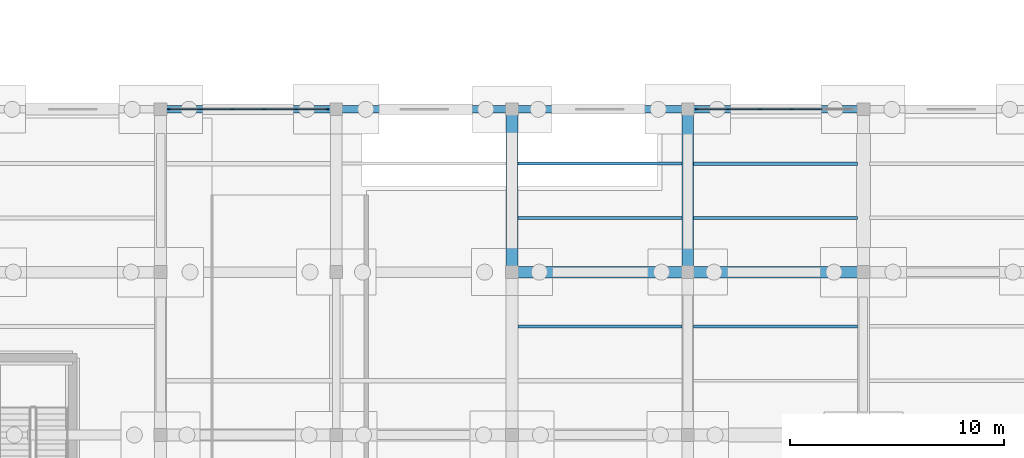
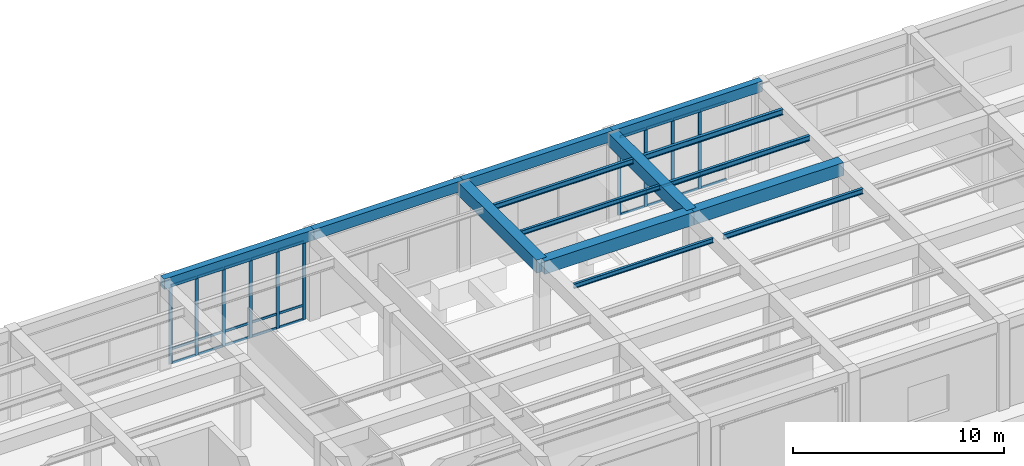
# One storey, part 29 of 64: 37 members, 14 beams, 2 elements without a shape of their own.
"""IFC4 building model written with IfcOpenShell, lengths in metres."""

from ifc_helpers import new_model, si_unit, direction, frame, origin, origin_2d, place, context, subcontext, project, spatial, rectangle, i_section, extrude, material, material_profile, profile_set, type_object, element, aggregate, save


model = new_model("IFC4")

# Units and contexts
model_context = context("Model", 3, precision=1e-05, world=origin(), true_north=direction((0.0, 1.0)))
body_context = subcontext(model_context, "Body", "Model", "MODEL_VIEW")
ifc_project = project(units=[si_unit("LENGTHUNIT", "METRE"), si_unit("AREAUNIT", "SQUARE_METRE"), si_unit("VOLUMEUNIT", "CUBIC_METRE"), si_unit("PLANEANGLEUNIT", "RADIAN"), si_unit("MASSUNIT", "GRAM", prefix="KILO")], contexts=[model_context])

# Site, building, storey
site_placement = place(None, origin())
site = spatial("IfcSite", under=ifc_project, at=site_placement, CompositionType="ELEMENT")
building_placement = place(site_placement, origin())
building = spatial("IfcBuilding", under=site, at=building_placement, Name="Qandaris Square Conservatory and Botanical Centre", CompositionType="ELEMENT")
storey_placement = place(building_placement, origin())
storey = spatial("IfcBuildingStorey", under=building, at=storey_placement, Name="L00", CompositionType="ELEMENT", Elevation=0.0)

# Beams
ifc_material_1 = material(Name="Steel S355", Category="steel")
ifc_material_profile_1 = material_profile(ifc_material_1, i_section(OverallWidth=0.14990234375, OverallDepth=0.300048828125, WebThickness=0.007080078125, FlangeThickness=0.0107421875, FilletRadius=0.014892578125, at=origin_2d()), Name="IPE 300")
ifc_profile_set_1 = profile_set([ifc_material_profile_1], Name="Steel S355")
beam_type_1 = type_object("IfcBeamType", Name="Composite Lab Joist IPE 300", PredefinedType="JOIST", material=ifc_profile_set_1)
beam_1_placement = place(storey_placement, frame((90.27490234375, 112.86669921875, 4.93994140625), z_axis=(1.0, 0.0, 0.0), x_axis=(0.0, 1.0, 0.0)))
element("IfcBeam", 1, at=beam_1_placement, inside=storey, type_object=beam_type_1, Name="L00 Composite Joist 0740", PredefinedType="JOIST", context=body_context, shape_type="SweptSolid", body=[
    extrude(i_section(OverallWidth=0.14990234375, OverallDepth=0.300048828125, WebThickness=0.007080078125, FlangeThickness=0.0107421875, FilletRadius=0.014892578125, at=origin_2d()), origin(), (0.0, 0.0, 1.0), 7.650146484375),
])
for number, where, z_axis, x_axis, name in (
    (2, (98.47509765625, 105.2666015625, 4.93994140625), (1.0, 0.0, 0.0), (0.0, 1.0, 0.0), "L00 Composite Joist 0750"),
    (3, (98.47509765625, 110.333251953125, 4.93994140625), (1.0, 0.0, 0.0), (0.0, 1.0, 0.0), "L00 Composite Joist 0751"),
):
    element("IfcBeam", number, at=place(storey_placement, frame(where, z_axis=z_axis, x_axis=x_axis)), inside=storey, type_object=beam_type_1, Name=name, PredefinedType="JOIST", context=body_context, shape_type="SweptSolid", body=[
        extrude(i_section(OverallWidth=0.14990234375, OverallDepth=0.300048828125, WebThickness=0.007080078125, FlangeThickness=0.0107421875, FilletRadius=0.014892578125, at=origin_2d()), origin(), (0.0, 0.0, 1.0), 7.64990234375),
    ])
ifc_material_profile_2 = material_profile(ifc_material_1, i_section(OverallWidth=0.159912109375, OverallDepth=0.330078125, WebThickness=0.007568359375, FlangeThickness=0.011474609375, FilletRadius=0.01806640625, at=origin_2d()), Name="IPE 330")
ifc_profile_set_2 = profile_set([ifc_material_profile_2], Name="Steel S355")
beam_type_2 = type_object("IfcBeamType", Name="Composite Lab Joist IPE 330", PredefinedType="JOIST", material=ifc_profile_set_2)
beam_2_placement = place(storey_placement, frame((98.47509765625, 112.86669921875, 4.925048828125), z_axis=(1.0, 0.0, 0.0), x_axis=(0.0, 1.0, 0.0)))
element("IfcBeam", 4, at=beam_2_placement, inside=storey, type_object=beam_type_2, Name="L00 Composite Joist 0752", PredefinedType="JOIST", context=body_context, shape_type="SweptSolid", body=[
    extrude(i_section(OverallWidth=0.159912109375, OverallDepth=0.330078125, WebThickness=0.007568359375, FlangeThickness=0.011474609375, FilletRadius=0.01806640625, at=origin_2d()), origin(), (0.0, 0.0, 1.0), 7.64990234375),
])

# Curtain wall, members
ifc_material_2 = material(Name="Anodised Aluminium", Category="aluminium")
curtain_wall_type = type_object("IfcCurtainWallType", Name="Unitised Curtain Wall CW-6-740x454", PredefinedType="USERDEFINED", material=ifc_material_2)
curtain_wall_1_placement = place(storey_placement, origin())
curtain_wall_1 = element("IfcCurtainWall", 5, at=curtain_wall_1_placement, inside=storey, type_object=curtain_wall_type, Name="Curtain Wall CW-V3B-L00-3-2", ObjectType="GLAZED CURTAIN WALL", PredefinedType="USERDEFINED")
ifc_material_profile_3 = material_profile(ifc_material_2, rectangle(XDim=0.06494140625, YDim=0.179931640625, at=origin_2d()), Name="ALU-MUL 65x180")
ifc_profile_set_3 = profile_set([ifc_material_profile_3], Name="Anodised Aluminium")
member_type_1 = type_object("IfcMemberType", Name="Curtain Wall Mullion 65x180", PredefinedType="MULLION", material=ifc_profile_set_3)
member_1_placement = place(storey_placement, frame((103.0400390625, 115.39990234375, 0.0), z_axis=(0.0, 0.0, 1.0), x_axis=(0.0, -1.0, 0.0)))
member_1 = element("IfcMember", 6, at=member_1_placement, type_object=member_type_1, Name="CW-6-740x454 mullion 3", PredefinedType="MULLION", context=body_context, shape_type="SweptSolid", body=[
    extrude(rectangle(XDim=0.06494140625, YDim=0.179931640625, at=origin_2d()), origin(), (0.0, 0.0, 1.0), 4.544921875),
])
member_2_placement = place(storey_placement, frame((101.56005859375, 115.39990234375, 0.0), z_axis=(0.0, 0.0, 1.0), x_axis=(0.0, -1.0, 0.0)))
member_2 = element("IfcMember", 7, at=member_2_placement, type_object=member_type_1, Name="CW-6-740x454 mullion 4", PredefinedType="MULLION", context=body_context, shape_type="SweptSolid", body=[
    extrude(rectangle(XDim=0.06494140625, YDim=0.179931640625, at=origin_2d()), origin(), (0.0, 0.0, 1.0), 4.544921875),
])
member_3_placement = place(storey_placement, frame((100.080078125, 115.39990234375, 0.0), z_axis=(0.0, 0.0, 1.0), x_axis=(0.0, -1.0, 0.0)))
member_3 = element("IfcMember", 8, at=member_3_placement, type_object=member_type_1, Name="CW-6-740x454 mullion 5", PredefinedType="MULLION", context=body_context, shape_type="SweptSolid", body=[
    extrude(rectangle(XDim=0.06494140625, YDim=0.179931640625, at=origin_2d()), origin(), (0.0, 0.0, 1.0), 4.544921875),
])
member_4_placement = place(storey_placement, frame((98.632568359375, 115.39990234375, 0.0), z_axis=(0.0, 0.0, 1.0), x_axis=(0.0, -1.0, 0.0)))
member_4 = element("IfcMember", 9, at=member_4_placement, type_object=member_type_1, Name="CW-6-740x454 mullion 6", PredefinedType="MULLION", context=body_context, shape_type="SweptSolid", body=[
    extrude(rectangle(XDim=0.06494140625, YDim=0.179931640625, at=origin_2d()), origin(), (0.0, 0.0, 1.0), 4.544921875),
])

curtain_wall_2_placement = place(storey_placement, origin())
curtain_wall_2 = element("IfcCurtainWall", 10, at=curtain_wall_2_placement, inside=storey, type_object=curtain_wall_type, Name="Curtain Wall CW-V3B-L00-3-5", ObjectType="GLAZED CURTAIN WALL", PredefinedType="USERDEFINED")
member_5_placement = place(storey_placement, frame((81.367431640625, 115.39990234375, 0.0), z_axis=(0.0, 0.0, 1.0), x_axis=(0.0, -1.0, 0.0)))
member_5 = element("IfcMember", 11, at=member_5_placement, type_object=member_type_1, Name="CW-6-740x454 mullion 1", PredefinedType="MULLION", context=body_context, shape_type="SweptSolid", body=[
    extrude(rectangle(XDim=0.06494140625, YDim=0.179931640625, at=origin_2d()), origin(), (0.0, 0.0, 1.0), 4.544921875),
])
member_6_placement = place(storey_placement, frame((79.919921875, 115.39990234375, 0.0), z_axis=(0.0, 0.0, 1.0), x_axis=(0.0, -1.0, 0.0)))
member_6 = element("IfcMember", 12, at=member_6_placement, type_object=member_type_1, Name="CW-6-740x454 mullion 2", PredefinedType="MULLION", context=body_context, shape_type="SweptSolid", body=[
    extrude(rectangle(XDim=0.06494140625, YDim=0.179931640625, at=origin_2d()), origin(), (0.0, 0.0, 1.0), 4.544921875),
])
member_7_placement = place(storey_placement, frame((78.43994140625, 115.39990234375, 0.0), z_axis=(0.0, 0.0, 1.0), x_axis=(0.0, -1.0, 0.0)))
member_7 = element("IfcMember", 13, at=member_7_placement, type_object=member_type_1, Name="CW-6-740x454 mullion 3", PredefinedType="MULLION", context=body_context, shape_type="SweptSolid", body=[
    extrude(rectangle(XDim=0.06494140625, YDim=0.179931640625, at=origin_2d()), origin(), (0.0, 0.0, 1.0), 4.544921875),
])
member_8_placement = place(storey_placement, frame((76.9599609375, 115.39990234375, 0.0), z_axis=(0.0, 0.0, 1.0), x_axis=(0.0, -1.0, 0.0)))
member_8 = element("IfcMember", 14, at=member_8_placement, type_object=member_type_1, Name="CW-6-740x454 mullion 4", PredefinedType="MULLION", context=body_context, shape_type="SweptSolid", body=[
    extrude(rectangle(XDim=0.06494140625, YDim=0.179931640625, at=origin_2d()), origin(), (0.0, 0.0, 1.0), 4.544921875),
])
member_9_placement = place(storey_placement, frame((75.47998046875, 115.39990234375, 0.0), z_axis=(0.0, 0.0, 1.0), x_axis=(0.0, -1.0, 0.0)))
member_9 = element("IfcMember", 15, at=member_9_placement, type_object=member_type_1, Name="CW-6-740x454 mullion 5", PredefinedType="MULLION", context=body_context, shape_type="SweptSolid", body=[
    extrude(rectangle(XDim=0.06494140625, YDim=0.179931640625, at=origin_2d()), origin(), (0.0, 0.0, 1.0), 4.544921875),
])
member_10_placement = place(storey_placement, frame((74.032470703125, 115.39990234375, 0.0), z_axis=(0.0, 0.0, 1.0), x_axis=(0.0, -1.0, 0.0)))
member_10 = element("IfcMember", 16, at=member_10_placement, type_object=member_type_1, Name="CW-6-740x454 mullion 6", PredefinedType="MULLION", context=body_context, shape_type="SweptSolid", body=[
    extrude(rectangle(XDim=0.06494140625, YDim=0.179931640625, at=origin_2d()), origin(), (0.0, 0.0, 1.0), 4.544921875),
])

# Member
ifc_material_profile_4 = material_profile(ifc_material_2, rectangle(XDim=0.06494140625, YDim=0.139892578125, at=origin_2d()), Name="ALU-TRN 65x140")
ifc_profile_set_4 = profile_set([ifc_material_profile_4], Name="Anodised Aluminium")
member_type_2 = type_object("IfcMemberType", Name="Curtain Wall Transom 65x140", PredefinedType="USERDEFINED", material=ifc_profile_set_4)
member_11_placement = place(storey_placement, frame((104.487548828125, 115.39990234375, 0.032470703125), z_axis=(-1.0, 0.0, 0.0), x_axis=(0.0, -1.0, 0.0)))
member_11 = element("IfcMember", 17, at=member_11_placement, type_object=member_type_2, Name="CW-6-740x454 transom 2.1", ObjectType="TRANSOM", PredefinedType="USERDEFINED", context=body_context, shape_type="SweptSolid", body=[
    extrude(rectangle(XDim=0.06494140625, YDim=0.139892578125, at=origin_2d()), origin(), (0.0, 0.0, 1.0), 1.4150390625),
])

member_12_placement = place(storey_placement, frame((104.487548828125, 115.39990234375, 0.85009765625), z_axis=(-1.0, 0.0, 0.0), x_axis=(0.0, -1.0, 0.0)))
member_12 = element("IfcMember", 18, at=member_12_placement, type_object=member_type_2, Name="CW-6-740x454 transom 2.2", ObjectType="TRANSOM", PredefinedType="USERDEFINED", context=body_context, shape_type="SweptSolid", body=[
    extrude(rectangle(XDim=0.06494140625, YDim=0.139892578125, at=origin_2d()), origin(), (0.0, 0.0, 1.0), 1.4150390625),
])

member_13_placement = place(storey_placement, frame((104.487548828125, 115.39990234375, 4.512451171875), z_axis=(-1.0, 0.0, 0.0), x_axis=(0.0, -1.0, 0.0)))
member_13 = element("IfcMember", 19, at=member_13_placement, type_object=member_type_2, Name="CW-6-740x454 transom 2.3", ObjectType="TRANSOM", PredefinedType="USERDEFINED", context=body_context, shape_type="SweptSolid", body=[
    extrude(rectangle(XDim=0.06494140625, YDim=0.139892578125, at=origin_2d()), origin(), (0.0, 0.0, 1.0), 1.4150390625),
])

member_14_placement = place(storey_placement, frame((103.007568359375, 115.39990234375, 0.032470703125), z_axis=(-1.0, 0.0, 0.0), x_axis=(0.0, -1.0, 0.0)))
member_14 = element("IfcMember", 20, at=member_14_placement, type_object=member_type_2, Name="CW-6-740x454 transom 3.1", ObjectType="TRANSOM", PredefinedType="USERDEFINED", context=body_context, shape_type="SweptSolid", body=[
    extrude(rectangle(XDim=0.06494140625, YDim=0.139892578125, at=origin_2d()), origin(), (0.0, 0.0, 1.0), 1.4150390625),
])

member_15_placement = place(storey_placement, frame((103.007568359375, 115.39990234375, 0.85009765625), z_axis=(-1.0, 0.0, 0.0), x_axis=(0.0, -1.0, 0.0)))
member_15 = element("IfcMember", 21, at=member_15_placement, type_object=member_type_2, Name="CW-6-740x454 transom 3.2", ObjectType="TRANSOM", PredefinedType="USERDEFINED", context=body_context, shape_type="SweptSolid", body=[
    extrude(rectangle(XDim=0.06494140625, YDim=0.139892578125, at=origin_2d()), origin(), (0.0, 0.0, 1.0), 1.4150390625),
])

member_16_placement = place(storey_placement, frame((103.007568359375, 115.39990234375, 4.512451171875), z_axis=(-1.0, 0.0, 0.0), x_axis=(0.0, -1.0, 0.0)))
member_16 = element("IfcMember", 22, at=member_16_placement, type_object=member_type_2, Name="CW-6-740x454 transom 3.3", ObjectType="TRANSOM", PredefinedType="USERDEFINED", context=body_context, shape_type="SweptSolid", body=[
    extrude(rectangle(XDim=0.06494140625, YDim=0.139892578125, at=origin_2d()), origin(), (0.0, 0.0, 1.0), 1.4150390625),
])

member_17_placement = place(storey_placement, frame((101.527587890625, 115.39990234375, 0.032470703125), z_axis=(-1.0, 0.0, 0.0), x_axis=(0.0, -1.0, 0.0)))
member_17 = element("IfcMember", 23, at=member_17_placement, type_object=member_type_2, Name="CW-6-740x454 transom 4.1", ObjectType="TRANSOM", PredefinedType="USERDEFINED", context=body_context, shape_type="SweptSolid", body=[
    extrude(rectangle(XDim=0.06494140625, YDim=0.139892578125, at=origin_2d()), origin(), (0.0, 0.0, 1.0), 1.4150390625),
])

member_18_placement = place(storey_placement, frame((101.527587890625, 115.39990234375, 0.85009765625), z_axis=(-1.0, 0.0, 0.0), x_axis=(0.0, -1.0, 0.0)))
member_18 = element("IfcMember", 24, at=member_18_placement, type_object=member_type_2, Name="CW-6-740x454 transom 4.2", ObjectType="TRANSOM", PredefinedType="USERDEFINED", context=body_context, shape_type="SweptSolid", body=[
    extrude(rectangle(XDim=0.06494140625, YDim=0.139892578125, at=origin_2d()), origin(), (0.0, 0.0, 1.0), 1.4150390625),
])

member_19_placement = place(storey_placement, frame((101.527587890625, 115.39990234375, 4.512451171875), z_axis=(-1.0, 0.0, 0.0), x_axis=(0.0, -1.0, 0.0)))
member_19 = element("IfcMember", 25, at=member_19_placement, type_object=member_type_2, Name="CW-6-740x454 transom 4.3", ObjectType="TRANSOM", PredefinedType="USERDEFINED", context=body_context, shape_type="SweptSolid", body=[
    extrude(rectangle(XDim=0.06494140625, YDim=0.139892578125, at=origin_2d()), origin(), (0.0, 0.0, 1.0), 1.4150390625),
])

member_20_placement = place(storey_placement, frame((100.047607421875, 115.39990234375, 0.032470703125), z_axis=(-1.0, 0.0, 0.0), x_axis=(0.0, -1.0, 0.0)))
member_20 = element("IfcMember", 26, at=member_20_placement, type_object=member_type_2, Name="CW-6-740x454 transom 5.1", ObjectType="TRANSOM", PredefinedType="USERDEFINED", context=body_context, shape_type="SweptSolid", body=[
    extrude(rectangle(XDim=0.06494140625, YDim=0.139892578125, at=origin_2d()), origin(), (0.0, 0.0, 1.0), 1.382568359375),
])

member_21_placement = place(storey_placement, frame((100.047607421875, 115.39990234375, 0.85009765625), z_axis=(-1.0, 0.0, 0.0), x_axis=(0.0, -1.0, 0.0)))
member_21 = element("IfcMember", 27, at=member_21_placement, type_object=member_type_2, Name="CW-6-740x454 transom 5.2", ObjectType="TRANSOM", PredefinedType="USERDEFINED", context=body_context, shape_type="SweptSolid", body=[
    extrude(rectangle(XDim=0.06494140625, YDim=0.139892578125, at=origin_2d()), origin(), (0.0, 0.0, 1.0), 1.382568359375),
])

member_22_placement = place(storey_placement, frame((100.047607421875, 115.39990234375, 4.512451171875), z_axis=(-1.0, 0.0, 0.0), x_axis=(0.0, -1.0, 0.0)))
member_22 = element("IfcMember", 28, at=member_22_placement, type_object=member_type_2, Name="CW-6-740x454 transom 5.3", ObjectType="TRANSOM", PredefinedType="USERDEFINED", context=body_context, shape_type="SweptSolid", body=[
    extrude(rectangle(XDim=0.06494140625, YDim=0.139892578125, at=origin_2d()), origin(), (0.0, 0.0, 1.0), 1.382568359375),
])

aggregate(curtain_wall_1, [member_1, member_2, member_3, member_4, member_11, member_12, member_13, member_14, member_15, member_16, member_17, member_18, member_19, member_20, member_21, member_22])

member_23_placement = place(storey_placement, frame((81.3349609375, 115.39990234375, 0.032470703125), z_axis=(-1.0, 0.0, 0.0), x_axis=(0.0, -1.0, 0.0)))
member_23 = element("IfcMember", 29, at=member_23_placement, type_object=member_type_2, Name="CW-6-740x454 transom 1.1", ObjectType="TRANSOM", PredefinedType="USERDEFINED", context=body_context, shape_type="SweptSolid", body=[
    extrude(rectangle(XDim=0.06494140625, YDim=0.139892578125, at=origin_2d()), origin(), (0.0, 0.0, 1.0), 1.382568359375),
])

member_24_placement = place(storey_placement, frame((81.3349609375, 115.39990234375, 0.85009765625), z_axis=(-1.0, 0.0, 0.0), x_axis=(0.0, -1.0, 0.0)))
member_24 = element("IfcMember", 30, at=member_24_placement, type_object=member_type_2, Name="CW-6-740x454 transom 1.2", ObjectType="TRANSOM", PredefinedType="USERDEFINED", context=body_context, shape_type="SweptSolid", body=[
    extrude(rectangle(XDim=0.06494140625, YDim=0.139892578125, at=origin_2d()), origin(), (0.0, 0.0, 1.0), 1.382568359375),
])

member_25_placement = place(storey_placement, frame((81.3349609375, 115.39990234375, 4.512451171875), z_axis=(-1.0, 0.0, 0.0), x_axis=(0.0, -1.0, 0.0)))
member_25 = element("IfcMember", 31, at=member_25_placement, type_object=member_type_2, Name="CW-6-740x454 transom 1.3", ObjectType="TRANSOM", PredefinedType="USERDEFINED", context=body_context, shape_type="SweptSolid", body=[
    extrude(rectangle(XDim=0.06494140625, YDim=0.139892578125, at=origin_2d()), origin(), (0.0, 0.0, 1.0), 1.382568359375),
])

member_26_placement = place(storey_placement, frame((79.887451171875, 115.39990234375, 0.032470703125), z_axis=(-1.0, 0.0, 0.0), x_axis=(0.0, -1.0, 0.0)))
member_26 = element("IfcMember", 32, at=member_26_placement, type_object=member_type_2, Name="CW-6-740x454 transom 2.1", ObjectType="TRANSOM", PredefinedType="USERDEFINED", context=body_context, shape_type="SweptSolid", body=[
    extrude(rectangle(XDim=0.06494140625, YDim=0.139892578125, at=origin_2d()), origin(), (0.0, 0.0, 1.0), 1.4150390625),
])

member_27_placement = place(storey_placement, frame((79.887451171875, 115.39990234375, 0.85009765625), z_axis=(-1.0, 0.0, 0.0), x_axis=(0.0, -1.0, 0.0)))
member_27 = element("IfcMember", 33, at=member_27_placement, type_object=member_type_2, Name="CW-6-740x454 transom 2.2", ObjectType="TRANSOM", PredefinedType="USERDEFINED", context=body_context, shape_type="SweptSolid", body=[
    extrude(rectangle(XDim=0.06494140625, YDim=0.139892578125, at=origin_2d()), origin(), (0.0, 0.0, 1.0), 1.4150390625),
])

member_28_placement = place(storey_placement, frame((79.887451171875, 115.39990234375, 4.512451171875), z_axis=(-1.0, 0.0, 0.0), x_axis=(0.0, -1.0, 0.0)))
member_28 = element("IfcMember", 34, at=member_28_placement, type_object=member_type_2, Name="CW-6-740x454 transom 2.3", ObjectType="TRANSOM", PredefinedType="USERDEFINED", context=body_context, shape_type="SweptSolid", body=[
    extrude(rectangle(XDim=0.06494140625, YDim=0.139892578125, at=origin_2d()), origin(), (0.0, 0.0, 1.0), 1.4150390625),
])

member_29_placement = place(storey_placement, frame((78.407470703125, 115.39990234375, 0.032470703125), z_axis=(-1.0, 0.0, 0.0), x_axis=(0.0, -1.0, 0.0)))
member_29 = element("IfcMember", 35, at=member_29_placement, type_object=member_type_2, Name="CW-6-740x454 transom 3.1", ObjectType="TRANSOM", PredefinedType="USERDEFINED", context=body_context, shape_type="SweptSolid", body=[
    extrude(rectangle(XDim=0.06494140625, YDim=0.139892578125, at=origin_2d()), origin(), (0.0, 0.0, 1.0), 1.4150390625),
])

member_30_placement = place(storey_placement, frame((78.407470703125, 115.39990234375, 0.85009765625), z_axis=(-1.0, 0.0, 0.0), x_axis=(0.0, -1.0, 0.0)))
member_30 = element("IfcMember", 36, at=member_30_placement, type_object=member_type_2, Name="CW-6-740x454 transom 3.2", ObjectType="TRANSOM", PredefinedType="USERDEFINED", context=body_context, shape_type="SweptSolid", body=[
    extrude(rectangle(XDim=0.06494140625, YDim=0.139892578125, at=origin_2d()), origin(), (0.0, 0.0, 1.0), 1.4150390625),
])

member_31_placement = place(storey_placement, frame((78.407470703125, 115.39990234375, 4.512451171875), z_axis=(-1.0, 0.0, 0.0), x_axis=(0.0, -1.0, 0.0)))
member_31 = element("IfcMember", 37, at=member_31_placement, type_object=member_type_2, Name="CW-6-740x454 transom 3.3", ObjectType="TRANSOM", PredefinedType="USERDEFINED", context=body_context, shape_type="SweptSolid", body=[
    extrude(rectangle(XDim=0.06494140625, YDim=0.139892578125, at=origin_2d()), origin(), (0.0, 0.0, 1.0), 1.4150390625),
])

member_32_placement = place(storey_placement, frame((76.927490234375, 115.39990234375, 0.032470703125), z_axis=(-1.0, 0.0, 0.0), x_axis=(0.0, -1.0, 0.0)))
member_32 = element("IfcMember", 38, at=member_32_placement, type_object=member_type_2, Name="CW-6-740x454 transom 4.1", ObjectType="TRANSOM", PredefinedType="USERDEFINED", context=body_context, shape_type="SweptSolid", body=[
    extrude(rectangle(XDim=0.06494140625, YDim=0.139892578125, at=origin_2d()), origin(), (0.0, 0.0, 1.0), 1.4150390625),
])

member_33_placement = place(storey_placement, frame((76.927490234375, 115.39990234375, 0.85009765625), z_axis=(-1.0, 0.0, 0.0), x_axis=(0.0, -1.0, 0.0)))
member_33 = element("IfcMember", 39, at=member_33_placement, type_object=member_type_2, Name="CW-6-740x454 transom 4.2", ObjectType="TRANSOM", PredefinedType="USERDEFINED", context=body_context, shape_type="SweptSolid", body=[
    extrude(rectangle(XDim=0.06494140625, YDim=0.139892578125, at=origin_2d()), origin(), (0.0, 0.0, 1.0), 1.4150390625),
])

member_34_placement = place(storey_placement, frame((76.927490234375, 115.39990234375, 4.512451171875), z_axis=(-1.0, 0.0, 0.0), x_axis=(0.0, -1.0, 0.0)))
member_34 = element("IfcMember", 40, at=member_34_placement, type_object=member_type_2, Name="CW-6-740x454 transom 4.3", ObjectType="TRANSOM", PredefinedType="USERDEFINED", context=body_context, shape_type="SweptSolid", body=[
    extrude(rectangle(XDim=0.06494140625, YDim=0.139892578125, at=origin_2d()), origin(), (0.0, 0.0, 1.0), 1.4150390625),
])

member_35_placement = place(storey_placement, frame((75.447509765625, 115.39990234375, 0.032470703125), z_axis=(-1.0, 0.0, 0.0), x_axis=(0.0, -1.0, 0.0)))
member_35 = element("IfcMember", 41, at=member_35_placement, type_object=member_type_2, Name="CW-6-740x454 transom 5.1", ObjectType="TRANSOM", PredefinedType="USERDEFINED", context=body_context, shape_type="SweptSolid", body=[
    extrude(rectangle(XDim=0.06494140625, YDim=0.139892578125, at=origin_2d()), origin(), (0.0, 0.0, 1.0), 1.382568359375),
])

member_36_placement = place(storey_placement, frame((75.447509765625, 115.39990234375, 0.85009765625), z_axis=(-1.0, 0.0, 0.0), x_axis=(0.0, -1.0, 0.0)))
member_36 = element("IfcMember", 42, at=member_36_placement, type_object=member_type_2, Name="CW-6-740x454 transom 5.2", ObjectType="TRANSOM", PredefinedType="USERDEFINED", context=body_context, shape_type="SweptSolid", body=[
    extrude(rectangle(XDim=0.06494140625, YDim=0.139892578125, at=origin_2d()), origin(), (0.0, 0.0, 1.0), 1.382568359375),
])

member_37_placement = place(storey_placement, frame((75.447509765625, 115.39990234375, 4.512451171875), z_axis=(-1.0, 0.0, 0.0), x_axis=(0.0, -1.0, 0.0)))
member_37 = element("IfcMember", 43, at=member_37_placement, type_object=member_type_2, Name="CW-6-740x454 transom 5.3", ObjectType="TRANSOM", PredefinedType="USERDEFINED", context=body_context, shape_type="SweptSolid", body=[
    extrude(rectangle(XDim=0.06494140625, YDim=0.139892578125, at=origin_2d()), origin(), (0.0, 0.0, 1.0), 1.382568359375),
])

aggregate(curtain_wall_2, [member_5, member_6, member_7, member_8, member_9, member_10, member_23, member_24, member_25, member_26, member_27, member_28, member_29, member_30, member_31, member_32, member_33, member_34, member_35, member_36, member_37])

# Beams
ifc_material_3 = material(Name="Concrete C50/60", Category="concrete")
ifc_material_profile_5 = material_profile(ifc_material_3, rectangle(XDim=0.35009765625, YDim=0.60009765625, at=origin_2d()), Name="RC-SP 350x600")
ifc_profile_set_5 = profile_set([ifc_material_profile_5], Name="Concrete C50/60")
beam_type_3 = type_object("IfcBeamType", Name="RC Edge Spandrel Beam 350x600", PredefinedType="SPANDREL", material=ifc_profile_set_5)
for number, where, z_axis, x_axis, name in (
    (44, (73.60009765625, 115.39990234375, 4.844970703125), (1.0, 0.0, 0.0), (0.0, 1.0, 0.0), "L00 Frame Beam 0490"),
    (45, (81.800048828125, 115.39990234375, 4.844970703125), (1.0, 0.0, 0.0), (0.0, 1.0, 0.0), "L00 Frame Beam 0491"),
    (46, (90.0, 115.39990234375, 4.844970703125), (1.0, 0.0, 0.0), (0.0, 1.0, 0.0), "L00 Frame Beam 0492"),
    (47, (98.199951171875, 115.39990234375, 4.844970703125), (1.0, 0.0, 0.0), (0.0, 1.0, 0.0), "L00 Frame Beam 0493"),
):
    element("IfcBeam", number, at=place(storey_placement, frame(where, z_axis=z_axis, x_axis=x_axis)), inside=storey, type_object=beam_type_3, Name=name, PredefinedType="SPANDREL", context=body_context, shape_type="SweptSolid", body=[
        extrude(rectangle(XDim=0.35009765625, YDim=0.60009765625, at=origin_2d()), origin(), (0.0, 0.0, 1.0), 8.199951171875),
    ])
ifc_material_profile_6 = material_profile(ifc_material_3, rectangle(XDim=0.550048828125, YDim=0.75, at=origin_2d()), Name="RC-BM 550x750")
ifc_profile_set_6 = profile_set([ifc_material_profile_6], Name="Concrete C50/60")
beam_type_4 = type_object("IfcBeamType", Name="RC Plinth Girder 550x750", PredefinedType="BEAM", material=ifc_profile_set_6)
for number, where, z_axis, x_axis, name in (
    (48, (90.0, 107.800048828125, 4.72509765625), (1.0, 0.0, 0.0), (0.0, 1.0, 0.0), "L00 Frame Beam 0474"),
    (49, (98.199951171875, 107.800048828125, 4.72509765625), (1.0, 0.0, 0.0), (0.0, 1.0, 0.0), "L00 Frame Beam 0475"),
):
    element("IfcBeam", number, at=place(storey_placement, frame(where, z_axis=z_axis, x_axis=x_axis)), inside=storey, type_object=beam_type_4, Name=name, PredefinedType="BEAM", context=body_context, shape_type="SweptSolid", body=[
        extrude(rectangle(XDim=0.550048828125, YDim=0.75, at=origin_2d()), origin(), (0.0, 0.0, 1.0), 8.199951171875),
    ])
for number, where, z_axis, x_axis, name in (
    (50, (90.0, 107.800048828125, 4.72509765625), (0.0, 1.0, 0.0), (-1.0, 0.0, 0.0), "L00 Frame Beam 0574"),
    (51, (98.199951171875, 107.800048828125, 4.72509765625), (0.0, 1.0, 0.0), (-1.0, 0.0, 0.0), "L00 Frame Beam 0581"),
):
    element("IfcBeam", number, at=place(storey_placement, frame(where, z_axis=z_axis, x_axis=x_axis)), inside=storey, type_object=beam_type_4, Name=name, PredefinedType="BEAM", context=body_context, shape_type="SweptSolid", body=[
        extrude(rectangle(XDim=0.550048828125, YDim=0.75, at=origin_2d()), origin(), (0.0, 0.0, 1.0), 7.599853515625),
    ])
ifc_material_profile_7 = material_profile(ifc_material_1, i_section(OverallWidth=0.135009765625, OverallDepth=0.27001953125, WebThickness=0.006591796875, FlangeThickness=0.01025390625, FilletRadius=0.014892578125, at=origin_2d()), Name="IPE 270")
ifc_profile_set_7 = profile_set([ifc_material_profile_7], Name="Steel S355")
beam_type_5 = type_object("IfcBeamType", Name="Steel Floor Joist IPE 270", PredefinedType="JOIST", material=ifc_profile_set_7)
for number, where, z_axis, x_axis, name in (
    (52, (90.27490234375, 105.2666015625, 4.955078125), (1.0, 0.0, 0.0), (0.0, 1.0, 0.0), "L00 Composite Joist 0738"),
    (53, (90.27490234375, 110.333251953125, 4.955078125), (1.0, 0.0, 0.0), (0.0, 1.0, 0.0), "L00 Composite Joist 0739"),
):
    element("IfcBeam", number, at=place(storey_placement, frame(where, z_axis=z_axis, x_axis=x_axis)), inside=storey, type_object=beam_type_5, Name=name, PredefinedType="JOIST", context=body_context, shape_type="SweptSolid", body=[
        extrude(i_section(OverallWidth=0.135009765625, OverallDepth=0.27001953125, WebThickness=0.006591796875, FlangeThickness=0.01025390625, FilletRadius=0.014892578125, at=origin_2d()), origin(), (0.0, 0.0, 1.0), 7.650146484375),
    ])

save(model, "model.ifc")
